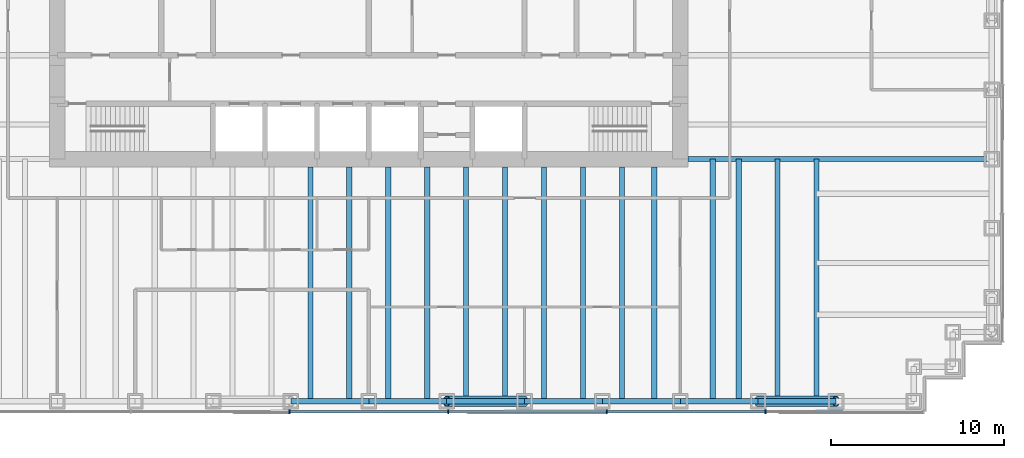
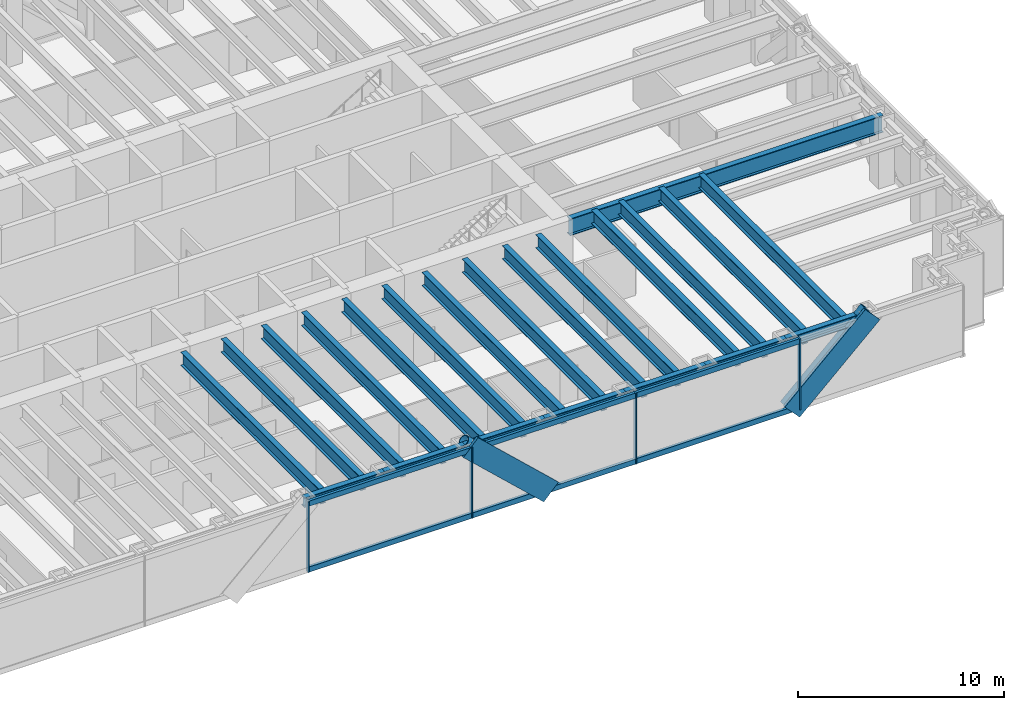
# One storey, part 4 of 15: 22 beams, 14 members, 1 element without a shape of its own.
"""IFC4 building model written with IfcOpenShell, lengths in metres."""

from ifc_helpers import new_model, si_unit, direction, frame, origin, origin_2d, place, context, subcontext, project, spatial, rectangle, hollow_circle, i_section, extrude, material, material_profile, profile_set, type_object, element, aggregate, save


model = new_model("IFC4")

# Units and contexts
model_context = context("Model", 3, precision=1e-05, world=origin(), true_north=direction((0.0, 1.0)))
body_context = subcontext(model_context, "Body", "Model", "MODEL_VIEW")
ifc_project = project(units=[si_unit("LENGTHUNIT", "METRE"), si_unit("AREAUNIT", "SQUARE_METRE"), si_unit("VOLUMEUNIT", "CUBIC_METRE"), si_unit("PLANEANGLEUNIT", "RADIAN"), si_unit("MASSUNIT", "GRAM", prefix="KILO")], contexts=[model_context])

# Site, building, storey
site_placement = place(None, origin())
site = spatial("IfcSite", under=ifc_project, at=site_placement, CompositionType="ELEMENT")
building_placement = place(site_placement, origin())
building = spatial("IfcBuilding", under=site, at=building_placement, Name="Rheinbord Bourse Tower", CompositionType="ELEMENT")
storey_placement = place(building_placement, frame((0.0, 0.0, 117.300048828125)))
storey = spatial("IfcBuildingStorey", under=building, at=storey_placement, Name="L25", CompositionType="ELEMENT", Elevation=117.300048828125)

# Curtain wall, members
ifc_material_1 = material(Name="Dark glass and black aluminium", Category="aluminium")
curtain_wall_type = type_object("IfcCurtainWallType", Name="CW2 DARK GLASS CURTAIN WALL", PredefinedType="USERDEFINED", material=ifc_material_1)
curtain_wall_placement = place(storey_placement, origin())
curtain_wall = element("IfcCurtainWall", 1, at=curtain_wall_placement, inside=storey, type_object=curtain_wall_type, Name="Curtain wall CW2 S L25", ObjectType="UNITISED CURTAIN WALL", PredefinedType="USERDEFINED")
ifc_material_2 = material(Name="Black anodised aluminium", Category="aluminium")
ifc_material_profile_1 = material_profile(ifc_material_2, rectangle(XDim=0.159912109375, YDim=1.2099609375, at=origin_2d()), Name="CW2 DIAGONAL MULLION 1210x160")
ifc_profile_set_1 = profile_set([ifc_material_profile_1], Name="Black anodised aluminium")
member_type_1 = type_object("IfcMemberType", Name="CW2 BLACK DIAGONAL MULLION", PredefinedType="USERDEFINED", material=ifc_profile_set_1)
member_1_placement = place(storey_placement, frame((58.5, 1.39990234375, 0.0), z_axis=(0.73105922506, 0.0, 0.682314010889), x_axis=(0.0, 1.0, 0.0)))
member_1 = element("IfcMember", 2, at=member_1_placement, type_object=member_type_1, Name="CW2 diagonal mullion b", ObjectType="DIAGONAL MULLION", PredefinedType="USERDEFINED", context=body_context, shape_type="SweptSolid", body=[
    extrude(rectangle(XDim=0.159912109375, YDim=1.2099609375, at=origin_2d()), origin(), (0.0, 0.0, 1.0), 6.155517578125),
])
member_2_placement = place(storey_placement, frame((45.0, 1.39990234375, 0.0), z_axis=(-0.73105922506, 0.0, 0.682314010889), x_axis=(0.0, -1.0, 0.0)))
member_2 = element("IfcMember", 3, at=member_2_placement, type_object=member_type_1, Name="CW2 diagonal mullion d", ObjectType="DIAGONAL MULLION", PredefinedType="USERDEFINED", context=body_context, shape_type="SweptSolid", body=[
    extrude(rectangle(XDim=0.159912109375, YDim=1.2099609375, at=origin_2d()), origin(), (0.0, 0.0, 1.0), 6.155517578125),
])
ifc_material_3 = material(Name="Black anodised aluminium", Category="aluminium")
ifc_material_profile_2 = material_profile(ifc_material_3, rectangle(XDim=0.219970703125, YDim=0.070068359375, at=origin_2d()), Name="CW2 MULLION 70x220")
ifc_profile_set_2 = profile_set([ifc_material_profile_2], Name="Black anodised aluminium")
member_type_2 = type_object("IfcMemberType", Name="CW2 BLACK MULLION", PredefinedType="MULLION", material=ifc_profile_set_2)
member_3_placement = place(storey_placement, frame((31.414306640625, 1.39990234375, 0.0), z_axis=(0.0, 0.0, 1.0), x_axis=(0.0, 1.0, 0.0)))
member_3 = element("IfcMember", 4, at=member_3_placement, type_object=member_type_2, Name="CW2 mullion 4", PredefinedType="MULLION", context=body_context, shape_type="SweptSolid", body=[
    extrude(rectangle(XDim=0.219970703125, YDim=0.070068359375, at=origin_2d()), origin(), (0.0, 0.0, 1.0), 4.199951171875),
])
member_4_placement = place(storey_placement, frame((40.585693359375, 1.39990234375, 0.0), z_axis=(0.0, 0.0, 1.0), x_axis=(0.0, 1.0, 0.0)))
member_4 = element("IfcMember", 5, at=member_4_placement, type_object=member_type_2, Name="CW2 mullion 5", PredefinedType="MULLION", context=body_context, shape_type="SweptSolid", body=[
    extrude(rectangle(XDim=0.219970703125, YDim=0.070068359375, at=origin_2d()), origin(), (0.0, 0.0, 1.0), 4.199951171875),
])
member_5_placement = place(storey_placement, frame((49.757080078125, 1.39990234375, 0.0), z_axis=(0.0, 0.0, 1.0), x_axis=(0.0, 1.0, 0.0)))
member_5 = element("IfcMember", 6, at=member_5_placement, type_object=member_type_2, Name="CW2 mullion 6", PredefinedType="MULLION", context=body_context, shape_type="SweptSolid", body=[
    extrude(rectangle(XDim=0.219970703125, YDim=0.070068359375, at=origin_2d()), origin(), (0.0, 0.0, 1.0), 4.199951171875),
])
member_6_placement = place(storey_placement, frame((58.928466796875, 1.39990234375, 0.0), z_axis=(0.0, 0.0, 1.0), x_axis=(0.0, 1.0, 0.0)))
member_6 = element("IfcMember", 7, at=member_6_placement, type_object=member_type_2, Name="CW2 mullion 7", PredefinedType="MULLION", context=body_context, shape_type="SweptSolid", body=[
    extrude(rectangle(XDim=0.219970703125, YDim=0.070068359375, at=origin_2d()), origin(), (0.0, 0.0, 1.0), 4.199951171875),
])
ifc_material_4 = material(Name="Black anodised aluminium", Category="aluminium")
ifc_material_profile_3 = material_profile(ifc_material_4, rectangle(XDim=0.159912109375, YDim=0.300048828125, at=origin_2d()), Name="CW2 TRANSOM 300x160")
ifc_profile_set_3 = profile_set([ifc_material_profile_3], Name="Black anodised aluminium")
member_type_3 = type_object("IfcMemberType", Name="CW2 BLACK TRANSOM", PredefinedType="USERDEFINED", material=ifc_profile_set_3)
member_7_placement = place(storey_placement, frame((31.44921875, 1.39990234375, 0.14990234375), z_axis=(1.0, 0.0, 0.0), x_axis=(0.0, 1.0, 0.0)))
member_7 = element("IfcMember", 8, at=member_7_placement, type_object=member_type_3, Name="CW2 transom 4.1", ObjectType="TRANSOM", PredefinedType="USERDEFINED", context=body_context, shape_type="SweptSolid", body=[
    extrude(rectangle(XDim=0.159912109375, YDim=0.300048828125, at=origin_2d()), origin(), (0.0, 0.0, 1.0), 9.1015625),
])
member_8_placement = place(storey_placement, frame((31.44921875, 1.39990234375, 4.050048828125), z_axis=(1.0, 0.0, 0.0), x_axis=(0.0, 1.0, 0.0)))
member_8 = element("IfcMember", 9, at=member_8_placement, type_object=member_type_3, Name="CW2 transom 4.2", ObjectType="TRANSOM", PredefinedType="USERDEFINED", context=body_context, shape_type="SweptSolid", body=[
    extrude(rectangle(XDim=0.159912109375, YDim=0.300048828125, at=origin_2d()), origin(), (0.0, 0.0, 1.0), 9.1015625),
])
member_9_placement = place(storey_placement, frame((40.62060546875, 1.39990234375, 0.14990234375), z_axis=(1.0, 0.0, 0.0), x_axis=(0.0, 1.0, 0.0)))
member_9 = element("IfcMember", 10, at=member_9_placement, type_object=member_type_3, Name="CW2 transom 5.1", ObjectType="TRANSOM", PredefinedType="USERDEFINED", context=body_context, shape_type="SweptSolid", body=[
    extrude(rectangle(XDim=0.159912109375, YDim=0.300048828125, at=origin_2d()), origin(), (0.0, 0.0, 1.0), 9.1015625),
])
member_10_placement = place(storey_placement, frame((40.62060546875, 1.39990234375, 4.050048828125), z_axis=(1.0, 0.0, 0.0), x_axis=(0.0, 1.0, 0.0)))
member_10 = element("IfcMember", 11, at=member_10_placement, type_object=member_type_3, Name="CW2 transom 5.2", ObjectType="TRANSOM", PredefinedType="USERDEFINED", context=body_context, shape_type="SweptSolid", body=[
    extrude(rectangle(XDim=0.159912109375, YDim=0.300048828125, at=origin_2d()), origin(), (0.0, 0.0, 1.0), 9.1015625),
])
member_11_placement = place(storey_placement, frame((49.792236328125, 1.39990234375, 0.14990234375), z_axis=(1.0, 0.0, 0.0), x_axis=(0.0, 1.0, 0.0)))
member_11 = element("IfcMember", 12, at=member_11_placement, type_object=member_type_3, Name="CW2 transom 6.1", ObjectType="TRANSOM", PredefinedType="USERDEFINED", context=body_context, shape_type="SweptSolid", body=[
    extrude(rectangle(XDim=0.159912109375, YDim=0.300048828125, at=origin_2d()), origin(), (0.0, 0.0, 1.0), 9.101318359375),
])
member_12_placement = place(storey_placement, frame((49.792236328125, 1.39990234375, 4.050048828125), z_axis=(1.0, 0.0, 0.0), x_axis=(0.0, 1.0, 0.0)))
member_12 = element("IfcMember", 13, at=member_12_placement, type_object=member_type_3, Name="CW2 transom 6.2", ObjectType="TRANSOM", PredefinedType="USERDEFINED", context=body_context, shape_type="SweptSolid", body=[
    extrude(rectangle(XDim=0.159912109375, YDim=0.300048828125, at=origin_2d()), origin(), (0.0, 0.0, 1.0), 9.101318359375),
])
aggregate(curtain_wall, [member_3, member_4, member_5, member_6, member_7, member_8, member_9, member_10, member_11, member_12, member_1, member_2])

# Beams
ifc_material_5 = material(Name="Steel S460", Category="steel")
ifc_material_profile_4 = material_profile(ifc_material_5, i_section(OverallWidth=0.300048828125, OverallDepth=0.800048828125, WebThickness=0.017578125, FlangeThickness=0.032958984375, at=origin_2d()), Name="HEB 800")
ifc_profile_set_4 = profile_set([ifc_material_profile_4], Name="Steel S460")
beam_type_1 = type_object("IfcBeamType", Name="FLOOR BEAM HEB 800", PredefinedType="BEAM", material=ifc_profile_set_4)
for number, where, z_axis, x_axis, name in (
    (14, (32.625, 2.0, 3.639892578125), (0.0, 1.0, 0.0), (-1.0, 0.0, 0.0), "Floor beam S-31.5a L26"),
    (15, (34.875, 2.0, 3.639892578125), (0.0, 1.0, 0.0), (-1.0, 0.0, 0.0), "Floor beam S-31.5b L26"),
    (16, (37.125, 2.0, 3.639892578125), (0.0, 1.0, 0.0), (-1.0, 0.0, 0.0), "Floor beam S-36a L26"),
    (17, (39.375, 2.0, 3.639892578125), (0.0, 1.0, 0.0), (-1.0, 0.0, 0.0), "Floor beam S-36b L26"),
    (18, (41.625, 2.0, 3.639892578125), (0.0, 1.0, 0.0), (-1.0, 0.0, 0.0), "Floor beam S-40.5a L26"),
    (19, (43.875, 2.0, 3.639892578125), (0.0, 1.0, 0.0), (-1.0, 0.0, 0.0), "Floor beam S-40.5b L26"),
    (20, (46.125, 2.0, 3.639892578125), (0.0, 1.0, 0.0), (-1.0, 0.0, 0.0), "Floor beam S-45a L26"),
    (21, (48.375, 2.0, 3.639892578125), (0.0, 1.0, 0.0), (-1.0, 0.0, 0.0), "Floor beam S-45b L26"),
    (22, (50.625, 2.0, 3.639892578125), (0.0, 1.0, 0.0), (-1.0, 0.0, 0.0), "Floor beam S-49.5a L26"),
    (23, (52.5, 2.0, 3.639892578125), (0.0, 1.0, 0.0), (-1.0, 0.0, 0.0), "Floor beam S-49.5b L26"),
):
    element("IfcBeam", number, at=place(storey_placement, frame(where, z_axis=z_axis, x_axis=x_axis)), inside=storey, type_object=beam_type_1, Name=name, PredefinedType="BEAM", context=body_context, shape_type="SweptSolid", body=[
        extrude(i_section(OverallWidth=0.300048828125, OverallDepth=0.800048828125, WebThickness=0.017578125, FlangeThickness=0.032958984375, at=origin_2d()), origin(), (0.0, 0.0, 1.0), 13.550048828125),
    ])
for number, where, z_axis, x_axis, name in (
    (24, (55.875, 2.0, 3.639892578125), (0.0, 1.0, 0.0), (-1.0, 0.0, 0.0), "Floor beam S-54a L26"),
    (25, (57.375, 2.0, 3.639892578125), (0.0, 1.0, 0.0), (-1.0, 0.0, 0.0), "Floor beam S-54b L26"),
    (26, (59.625, 2.0, 3.639892578125), (0.0, 1.0, 0.0), (-1.0, 0.0, 0.0), "Floor beam S-58.5a L26"),
    (27, (61.875, 2.0, 3.639892578125), (0.0, 1.0, 0.0), (-1.0, 0.0, 0.0), "Floor beam S-58.5b L26"),
):
    element("IfcBeam", number, at=place(storey_placement, frame(where, z_axis=z_axis, x_axis=x_axis)), inside=storey, type_object=beam_type_1, Name=name, PredefinedType="BEAM", context=body_context, shape_type="SweptSolid", body=[
        extrude(i_section(OverallWidth=0.300048828125, OverallDepth=0.800048828125, WebThickness=0.017578125, FlangeThickness=0.032958984375, at=origin_2d()), origin(), (0.0, 0.0, 1.0), 14.0),
    ])
ifc_material_6 = material(Name="Steel S460", Category="steel")
ifc_material_profile_5 = material_profile(ifc_material_6, i_section(OverallWidth=0.302001953125, OverallDepth=1.008056640625, WebThickness=0.02099609375, FlangeThickness=0.0400390625, at=origin_2d()), Name="HEM 1000")
ifc_profile_set_5 = profile_set([ifc_material_profile_5], Name="Steel S460")
beam_type_2 = type_object("IfcBeamType", Name="GIRDER HEM 1000", PredefinedType="BEAM", material=ifc_profile_set_5)
beam_placement = place(storey_placement, frame((54.449951171875, 16.0, 3.535888671875), z_axis=(1.0, 0.0, 0.0), x_axis=(0.0, 1.0, 0.0)))
element("IfcBeam", 28, at=beam_placement, inside=storey, type_object=beam_type_2, Name="Girder east 16 L26", PredefinedType="BEAM", context=body_context, shape_type="SweptSolid", body=[
    extrude(i_section(OverallWidth=0.302001953125, OverallDepth=1.008056640625, WebThickness=0.02099609375, FlangeThickness=0.0400390625, at=origin_2d()), origin(), (0.0, 0.0, 1.0), 17.550048828125),
])

# Members
ifc_material_7 = material(Name="Steel S460", Category="steel")
ifc_material_profile_6 = material_profile(ifc_material_7, hollow_circle(Radius=0.304931640625, WallThickness=0.0400390625, at=origin_2d()), Name="CHS 610x40")
ifc_profile_set_6 = profile_set([ifc_material_profile_6], Name="Steel S460")
member_type_4 = type_object("IfcMemberType", Name="MEGABRACE CHS 610x40", PredefinedType="BRACE", material=ifc_profile_set_6)
for number, where, z_axis, x_axis, name in (
    (29, (58.5, 2.0, 0.0), (0.73105922506, 0.0, 0.682314010889), (0.0, 1.0, 0.0), "Megabrace S face line b L25"),
    (30, (45.0, 2.0, 0.0), (-0.73105922506, 0.0, 0.682314010889), (0.0, -1.0, 0.0), "Megabrace S face line d L25"),
):
    element("IfcMember", number, at=place(storey_placement, frame(where, z_axis=z_axis, x_axis=x_axis)), inside=storey, type_object=member_type_4, Name=name, PredefinedType="BRACE", context=body_context, shape_type="SweptSolid", body=[
        extrude(hollow_circle(Radius=0.304931640625, WallThickness=0.0400390625, at=origin_2d()), origin(), (0.0, 0.0, 1.0), 6.155517578125),
    ])

# Beams
ifc_material_8 = material(Name="Steel S460", Category="steel")
ifc_material_profile_7 = material_profile(ifc_material_8, i_section(OverallWidth=0.305908203125, OverallDepth=0.572021484375, WebThickness=0.02099609375, FlangeThickness=0.0400390625, at=origin_2d()), Name="HEM 550")
ifc_profile_set_7 = profile_set([ifc_material_profile_7], Name="Steel S460")
beam_type_3 = type_object("IfcBeamType", Name="SPANDREL HEM 550", PredefinedType="SPANDREL", material=ifc_profile_set_7)
for number, where, z_axis, x_axis, name in (
    (31, (31.5, 2.0, 3.75390625), (1.0, 0.0, 0.0), (0.0, 1.0, 0.0), "Spandrel S-31.5-S-36 under L26"),
    (32, (36.0, 2.0, 3.75390625), (1.0, 0.0, 0.0), (0.0, 1.0, 0.0), "Spandrel S-36-S-40.5 under L26"),
    (33, (40.5, 2.0, 3.75390625), (1.0, 0.0, 0.0), (0.0, 1.0, 0.0), "Spandrel S-40.5-S-45 under L26"),
    (34, (45.0, 2.0, 3.75390625), (1.0, 0.0, 0.0), (0.0, 1.0, 0.0), "Spandrel S-45-S-49.5 under L26"),
    (35, (49.5, 2.0, 3.75390625), (1.0, 0.0, 0.0), (0.0, 1.0, 0.0), "Spandrel S-49.5-S-54 under L26"),
    (36, (54.0, 2.0, 3.75390625), (1.0, 0.0, 0.0), (0.0, 1.0, 0.0), "Spandrel S-54-S-58.5 under L26"),
    (37, (58.5, 2.0, 3.75390625), (1.0, 0.0, 0.0), (0.0, 1.0, 0.0), "Spandrel S-58.5-S-63 under L26"),
):
    element("IfcBeam", number, at=place(storey_placement, frame(where, z_axis=z_axis, x_axis=x_axis)), inside=storey, type_object=beam_type_3, Name=name, PredefinedType="SPANDREL", context=body_context, shape_type="SweptSolid", body=[
        extrude(i_section(OverallWidth=0.305908203125, OverallDepth=0.572021484375, WebThickness=0.02099609375, FlangeThickness=0.0400390625, at=origin_2d()), origin(), (0.0, 0.0, 1.0), 4.5),
    ])

save(model, "model.ifc")
